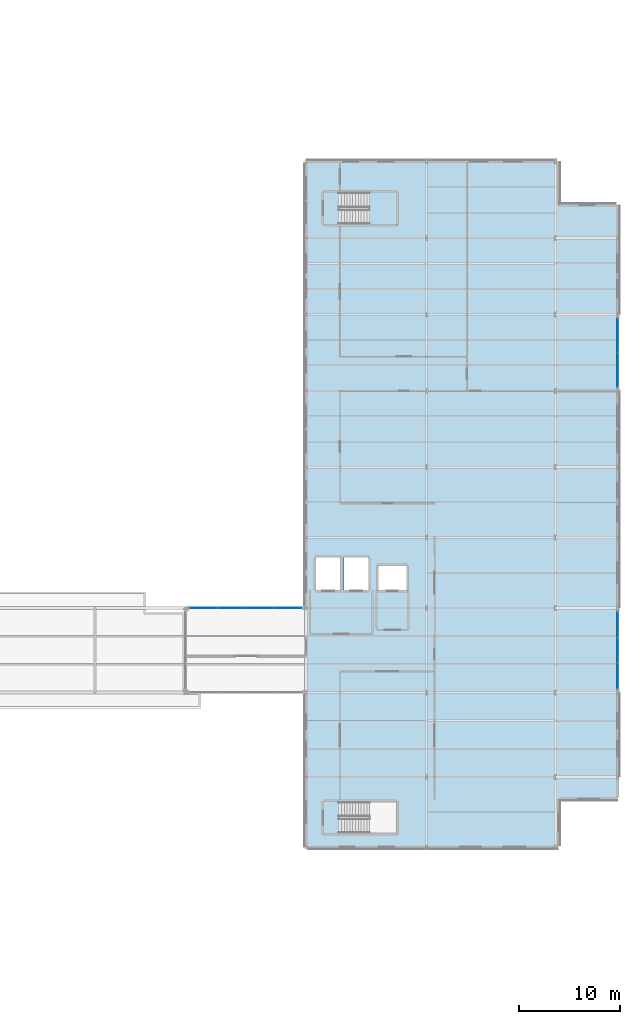
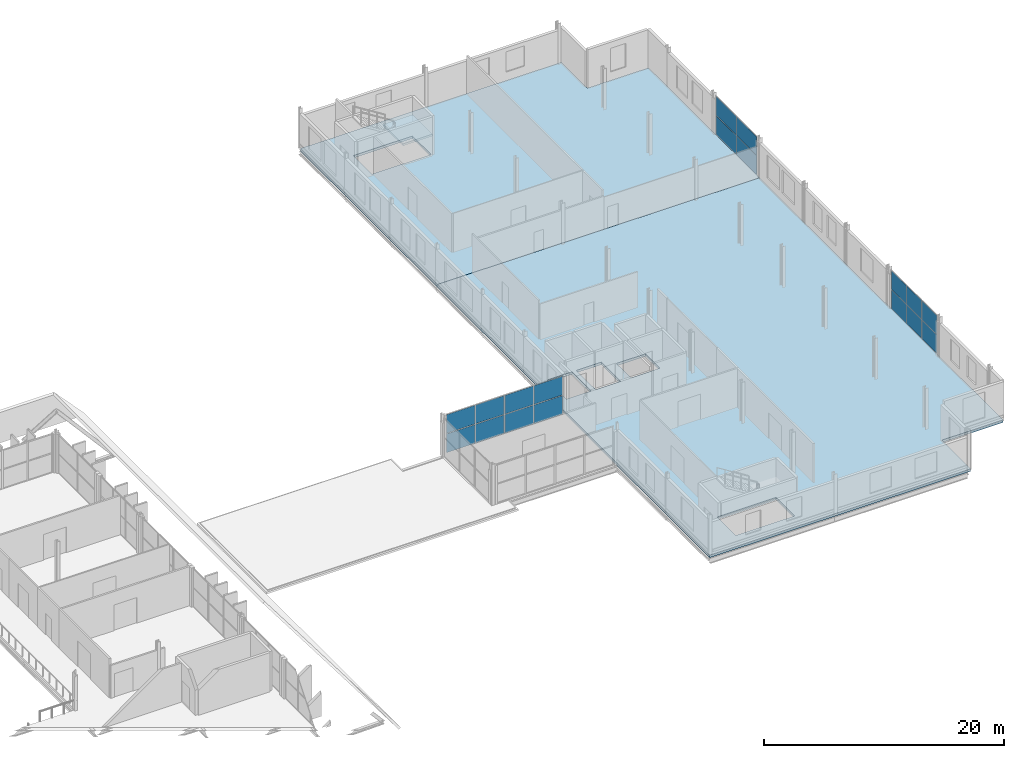
# One storey, part 78 of 93: 18 plates, 3 slabs, 4 elements without a shape of their own.
"""IFC4 building model written with IfcOpenShell, lengths in metres."""

from ifc_helpers import new_model, si_unit, direction, frame, origin, origin_2d, place, context, subcontext, project, spatial, polyline, rectangle, outline, extrude, material, layer, layer_set, type_object, element, aggregate, save


model = new_model("IFC4")

# Units and contexts
model_context = context("Model", 3, precision=1e-05, world=origin(), true_north=direction((0.0, 1.0)))
body_context = subcontext(model_context, "Body", "Model", "MODEL_VIEW")
ifc_project = project(units=[si_unit("LENGTHUNIT", "METRE"), si_unit("AREAUNIT", "SQUARE_METRE"), si_unit("VOLUMEUNIT", "CUBIC_METRE"), si_unit("PLANEANGLEUNIT", "RADIAN"), si_unit("MASSUNIT", "GRAM", prefix="KILO")], contexts=[model_context])

# Site, building, storey
site_placement = place(None, origin())
site = spatial("IfcSite", under=ifc_project, at=site_placement, CompositionType="ELEMENT")
building_placement = place(site_placement, origin())
building = spatial("IfcBuilding", under=site, at=building_placement, Name="Vekula Escarpment Museum", CompositionType="ELEMENT")
storey_placement = place(building_placement, frame((0.0, 0.0, 22.199951171875)))
storey = spatial("IfcBuildingStorey", under=building, at=storey_placement, Name="L05", CompositionType="ELEMENT", Elevation=22.199951171875)

# Curtain wall, plates
ifc_material_1 = material(Name="Aluminium thermally broken framing", Category="aluminium")
ifc_layer_1 = layer(ifc_material_1, 0.179931640625)
ifc_layer_set_1 = layer_set([ifc_layer_1], Name="Aluminium thermally broken framing")
curtain_wall_type_1 = type_object("IfcCurtainWallType", Name="CW-SYS-08", PredefinedType="NOTDEFINED", material=ifc_layer_set_1)
curtain_wall_1_placement = place(storey_placement, origin())
curtain_wall_1 = element("IfcCurtainWall", 1, at=curtain_wall_1_placement, inside=storey, type_object=curtain_wall_type_1, Name="Curtain Wall CW-L05-188", PredefinedType="NOTDEFINED")
ifc_material_2 = material(Name="Double solar-control low-E glass", Category="glass")
ifc_layer_2 = layer(ifc_material_2, 0.028076171875)
ifc_layer_set_2 = layer_set([ifc_layer_2], Name="Double solar-control low-E glass")
plate_type_1 = type_object("IfcPlateType", Name="CW-PNL-28", PredefinedType="CURTAIN_PANEL", material=ifc_layer_set_2)
plate_1_placement = place(storey_placement, frame((165.215087890625, 76.39990234375, 0.06005859375), z_axis=(0.0, 0.0, 1.0), x_axis=(-1.0, 0.0, 0.0)))
plate_1 = element("IfcPlate", 2, at=plate_1_placement, type_object=plate_type_1, Name="CW-08 panel 1.1", PredefinedType="CURTAIN_PANEL", context=body_context, shape_type="SweptSolid", body=[
    extrude(rectangle(XDim=2.72998046875, YDim=0.028076171875, at=origin_2d()), origin(), (0.0, 0.0, 1.0), 1.89990234375),
])
plate_2_placement = place(storey_placement, frame((165.215087890625, 76.39990234375, 2.02001953125), z_axis=(0.0, 0.0, 1.0), x_axis=(-1.0, 0.0, 0.0)))
plate_2 = element("IfcPlate", 3, at=plate_2_placement, type_object=plate_type_1, Name="CW-08 panel 1.2", PredefinedType="CURTAIN_PANEL", context=body_context, shape_type="SweptSolid", body=[
    extrude(rectangle(XDim=2.72998046875, YDim=0.028076171875, at=origin_2d()), origin(), (0.0, 0.0, 1.0), 1.89990234375),
])
plate_3_placement = place(storey_placement, frame((162.409912109375, 76.39990234375, 0.06005859375), z_axis=(0.0, 0.0, 1.0), x_axis=(-1.0, 0.0, 0.0)))
plate_3 = element("IfcPlate", 4, at=plate_3_placement, type_object=plate_type_1, Name="CW-08 panel 2.1", PredefinedType="CURTAIN_PANEL", context=body_context, shape_type="SweptSolid", body=[
    extrude(rectangle(XDim=2.760009765625, YDim=0.028076171875, at=origin_2d()), origin(), (0.0, 0.0, 1.0), 1.89990234375),
])
plate_4_placement = place(storey_placement, frame((162.409912109375, 76.39990234375, 2.02001953125), z_axis=(0.0, 0.0, 1.0), x_axis=(-1.0, 0.0, 0.0)))
plate_4 = element("IfcPlate", 5, at=plate_4_placement, type_object=plate_type_1, Name="CW-08 panel 2.2", PredefinedType="CURTAIN_PANEL", context=body_context, shape_type="SweptSolid", body=[
    extrude(rectangle(XDim=2.760009765625, YDim=0.028076171875, at=origin_2d()), origin(), (0.0, 0.0, 1.0), 1.89990234375),
])
plate_5_placement = place(storey_placement, frame((159.590087890625, 76.39990234375, 0.06005859375), z_axis=(0.0, 0.0, 1.0), x_axis=(-1.0, 0.0, 0.0)))
plate_5 = element("IfcPlate", 6, at=plate_5_placement, type_object=plate_type_1, Name="CW-08 panel 3.1", PredefinedType="CURTAIN_PANEL", context=body_context, shape_type="SweptSolid", body=[
    extrude(rectangle(XDim=2.760009765625, YDim=0.028076171875, at=origin_2d()), origin(), (0.0, 0.0, 1.0), 1.89990234375),
])
plate_6_placement = place(storey_placement, frame((159.590087890625, 76.39990234375, 2.02001953125), z_axis=(0.0, 0.0, 1.0), x_axis=(-1.0, 0.0, 0.0)))
plate_6 = element("IfcPlate", 7, at=plate_6_placement, type_object=plate_type_1, Name="CW-08 panel 3.2", PredefinedType="CURTAIN_PANEL", context=body_context, shape_type="SweptSolid", body=[
    extrude(rectangle(XDim=2.760009765625, YDim=0.028076171875, at=origin_2d()), origin(), (0.0, 0.0, 1.0), 1.89990234375),
])
plate_7_placement = place(storey_placement, frame((156.784912109375, 76.39990234375, 0.06005859375), z_axis=(0.0, 0.0, 1.0), x_axis=(-1.0, 0.0, 0.0)))
plate_7 = element("IfcPlate", 8, at=plate_7_placement, type_object=plate_type_1, Name="CW-08 panel 4.1", PredefinedType="CURTAIN_PANEL", context=body_context, shape_type="SweptSolid", body=[
    extrude(rectangle(XDim=2.72998046875, YDim=0.028076171875, at=origin_2d()), origin(), (0.0, 0.0, 1.0), 1.89990234375),
])
plate_8_placement = place(storey_placement, frame((156.784912109375, 76.39990234375, 2.02001953125), z_axis=(0.0, 0.0, 1.0), x_axis=(-1.0, 0.0, 0.0)))
plate_8 = element("IfcPlate", 9, at=plate_8_placement, type_object=plate_type_1, Name="CW-08 panel 4.2", PredefinedType="CURTAIN_PANEL", context=body_context, shape_type="SweptSolid", body=[
    extrude(rectangle(XDim=2.72998046875, YDim=0.028076171875, at=origin_2d()), origin(), (0.0, 0.0, 1.0), 1.89990234375),
])
aggregate(curtain_wall_1, [plate_1, plate_2, plate_3, plate_4, plate_5, plate_6, plate_7, plate_8])

ifc_material_3 = material(Name="Aluminium thermally broken framing", Category="aluminium")
ifc_layer_3 = layer(ifc_material_3, 0.139892578125)
ifc_layer_set_3 = layer_set([ifc_layer_3], Name="Aluminium thermally broken framing")
curtain_wall_type_2 = type_object("IfcCurtainWallType", Name="CW-SYS-06", PredefinedType="NOTDEFINED", material=ifc_layer_set_3)
curtain_wall_2_placement = place(storey_placement, origin())
curtain_wall_2 = element("IfcCurtainWall", 10, at=curtain_wall_2_placement, inside=storey, type_object=curtain_wall_type_2, Name="Curtain Wall CW-L05-186", PredefinedType="NOTDEFINED")
ifc_material_4 = material(Name="Triple UV-filtered museum gallery glass", Category="glass")
ifc_layer_4 = layer(ifc_material_4, 0.035888671875)
ifc_layer_set_4 = layer_set([ifc_layer_4], Name="Triple UV-filtered museum gallery glass")
plate_type_2 = type_object("IfcPlateType", Name="CW-PNL-36", PredefinedType="CURTAIN_PANEL", material=ifc_layer_set_4)
plate_9_placement = place(storey_placement, frame((198.0, 69.655029296875, 0.06005859375), z_axis=(0.0, 0.0, 1.0), x_axis=(0.0, 1.0, 0.0)))
plate_9 = element("IfcPlate", 11, at=plate_9_placement, type_object=plate_type_2, Name="CW-06 panel 1.1", PredefinedType="CURTAIN_PANEL", context=body_context, shape_type="SweptSolid", body=[
    extrude(rectangle(XDim=2.469970703125, YDim=0.035888671875, at=origin_2d()), origin(), (0.0, 0.0, 1.0), 1.89990234375),
])
plate_10_placement = place(storey_placement, frame((198.0, 69.655029296875, 2.02001953125), z_axis=(0.0, 0.0, 1.0), x_axis=(0.0, 1.0, 0.0)))
plate_10 = element("IfcPlate", 12, at=plate_10_placement, type_object=plate_type_2, Name="CW-06 panel 1.2", PredefinedType="CURTAIN_PANEL", context=body_context, shape_type="SweptSolid", body=[
    extrude(rectangle(XDim=2.469970703125, YDim=0.035888671875, at=origin_2d()), origin(), (0.0, 0.0, 1.0), 1.89990234375),
])
plate_11_placement = place(storey_placement, frame((198.0, 72.199951171875, 0.06005859375), z_axis=(0.0, 0.0, 1.0), x_axis=(0.0, 1.0, 0.0)))
plate_11 = element("IfcPlate", 13, at=plate_11_placement, type_object=plate_type_2, Name="CW-06 panel 2.1", PredefinedType="CURTAIN_PANEL", context=body_context, shape_type="SweptSolid", body=[
    extrude(rectangle(XDim=2.5, YDim=0.035888671875, at=origin_2d()), origin(), (0.0, 0.0, 1.0), 1.89990234375),
])
plate_12_placement = place(storey_placement, frame((198.0, 72.199951171875, 2.02001953125), z_axis=(0.0, 0.0, 1.0), x_axis=(0.0, 1.0, 0.0)))
plate_12 = element("IfcPlate", 14, at=plate_12_placement, type_object=plate_type_2, Name="CW-06 panel 2.2", PredefinedType="CURTAIN_PANEL", context=body_context, shape_type="SweptSolid", body=[
    extrude(rectangle(XDim=2.5, YDim=0.035888671875, at=origin_2d()), origin(), (0.0, 0.0, 1.0), 1.89990234375),
])
plate_13_placement = place(storey_placement, frame((198.0, 74.7451171875, 0.06005859375), z_axis=(0.0, 0.0, 1.0), x_axis=(0.0, 1.0, 0.0)))
plate_13 = element("IfcPlate", 15, at=plate_13_placement, type_object=plate_type_2, Name="CW-06 panel 3.1", PredefinedType="CURTAIN_PANEL", context=body_context, shape_type="SweptSolid", body=[
    extrude(rectangle(XDim=2.469970703125, YDim=0.035888671875, at=origin_2d()), origin(), (0.0, 0.0, 1.0), 1.89990234375),
])
plate_14_placement = place(storey_placement, frame((198.0, 74.7451171875, 2.02001953125), z_axis=(0.0, 0.0, 1.0), x_axis=(0.0, 1.0, 0.0)))
plate_14 = element("IfcPlate", 16, at=plate_14_placement, type_object=plate_type_2, Name="CW-06 panel 3.2", PredefinedType="CURTAIN_PANEL", context=body_context, shape_type="SweptSolid", body=[
    extrude(rectangle(XDim=2.469970703125, YDim=0.035888671875, at=origin_2d()), origin(), (0.0, 0.0, 1.0), 1.89990234375),
])
aggregate(curtain_wall_2, [plate_9, plate_10, plate_11, plate_12, plate_13, plate_14])

ifc_material_5 = material(Name="Aluminium thermally broken framing", Category="aluminium")
ifc_layer_5 = layer(ifc_material_5, 0.179931640625)
ifc_layer_set_5 = layer_set([ifc_layer_5], Name="Aluminium thermally broken framing")
curtain_wall_type_3 = type_object("IfcCurtainWallType", Name="CW-SYS-07", PredefinedType="NOTDEFINED", material=ifc_layer_set_5)
curtain_wall_3_placement = place(storey_placement, origin())
curtain_wall_3 = element("IfcCurtainWall", 17, at=curtain_wall_3_placement, inside=storey, type_object=curtain_wall_type_3, Name="Curtain Wall CW-L05-187", PredefinedType="NOTDEFINED")
ifc_material_6 = material(Name="Insulated bronze spandrel glass panel", Category="glass")
ifc_layer_6 = layer(ifc_material_6, 0.0400390625)
ifc_layer_set_6 = layer_set([ifc_layer_6], Name="Insulated bronze spandrel glass panel")
plate_type_3 = type_object("IfcPlateType", Name="CW-PNL-40", PredefinedType="CURTAIN_PANEL", material=ifc_layer_set_6)
plate_15_placement = place(storey_placement, frame((198.0, 100.094970703125, 0.06005859375), z_axis=(0.0, 0.0, 1.0), x_axis=(0.0, 1.0, 0.0)))
plate_15 = element("IfcPlate", 18, at=plate_15_placement, type_object=plate_type_3, Name="CW-07 panel 1.1", PredefinedType="CURTAIN_PANEL", context=body_context, shape_type="SweptSolid", body=[
    extrude(rectangle(XDim=3.35009765625, YDim=0.0400390625, at=origin_2d()), origin(), (0.0, 0.0, 1.0), 1.89990234375),
])
plate_16_placement = place(storey_placement, frame((198.0, 100.094970703125, 2.02001953125), z_axis=(0.0, 0.0, 1.0), x_axis=(0.0, 1.0, 0.0)))
plate_16 = element("IfcPlate", 19, at=plate_16_placement, type_object=plate_type_3, Name="CW-07 panel 1.2", PredefinedType="CURTAIN_PANEL", context=body_context, shape_type="SweptSolid", body=[
    extrude(rectangle(XDim=3.35009765625, YDim=0.0400390625, at=origin_2d()), origin(), (0.0, 0.0, 1.0), 1.89990234375),
])
plate_17_placement = place(storey_placement, frame((198.0, 103.5048828125, 0.06005859375), z_axis=(0.0, 0.0, 1.0), x_axis=(0.0, 1.0, 0.0)))
plate_17 = element("IfcPlate", 20, at=plate_17_placement, type_object=plate_type_3, Name="CW-07 panel 2.1", PredefinedType="CURTAIN_PANEL", context=body_context, shape_type="SweptSolid", body=[
    extrude(rectangle(XDim=3.35009765625, YDim=0.0400390625, at=origin_2d()), origin(), (0.0, 0.0, 1.0), 1.89990234375),
])
plate_18_placement = place(storey_placement, frame((198.0, 103.5048828125, 2.02001953125), z_axis=(0.0, 0.0, 1.0), x_axis=(0.0, 1.0, 0.0)))
plate_18 = element("IfcPlate", 21, at=plate_18_placement, type_object=plate_type_3, Name="CW-07 panel 2.2", PredefinedType="CURTAIN_PANEL", context=body_context, shape_type="SweptSolid", body=[
    extrude(rectangle(XDim=3.35009765625, YDim=0.0400390625, at=origin_2d()), origin(), (0.0, 0.0, 1.0), 1.89990234375),
])
aggregate(curtain_wall_3, [plate_15, plate_16, plate_17, plate_18])

# Slabs
ifc_material_7 = material(Name="Concrete C35/45", Category="concrete")
ifc_layer_7 = layer(ifc_material_7, 0.25)
ifc_layer_set_7 = layer_set([ifc_layer_7], Name="Concrete C35/45")
slab_type_1 = type_object("IfcSlabType", Name="SL-CUM-250", PredefinedType="FLOOR", material=ifc_layer_set_7)
slab_1_placement = place(storey_placement, frame((0.0, 0.0, -0.25)))
element("IfcSlab", 22, at=slab_1_placement, inside=storey, type_object=slab_type_1, Name="Floor Slab W-L05-V3-E", PredefinedType="FLOOR", context=body_context, shape_type="SweptSolid", body=[
    extrude(outline(polyline([(167.0, 52.60009765625), (192.110107421875, 52.60009765625), (192.110107421875, 57.39990234375), (198.0, 57.39990234375), (198.0, 98.0), (167.0, 98.0), (167.0, 52.60009765625)]), holes=[polyline([(170.31005859375, 54.0), (176.0, 54.0), (176.0, 57.10009765625), (170.31005859375, 57.10009765625), (170.31005859375, 54.0)]), polyline([(168.0, 78.199951171875), (170.39990234375, 78.199951171875), (170.39990234375, 81.39990234375), (168.0, 81.39990234375), (168.0, 78.199951171875)]), polyline([(170.800048828125, 78.199951171875), (173.199951171875, 78.199951171875), (173.199951171875, 81.39990234375), (170.800048828125, 81.39990234375), (170.800048828125, 78.199951171875)]), polyline([(174.199951171875, 78.199951171875), (177.0, 78.199951171875), (177.0, 80.60009765625), (174.199951171875, 80.60009765625), (174.199951171875, 78.199951171875)])]), origin(), (0.0, 0.0, 1.0), 0.25),
])
slab_2_placement = place(storey_placement, frame((0.0, 0.0, -0.25)))
element("IfcSlab", 23, at=slab_2_placement, inside=storey, type_object=slab_type_1, Name="Floor Slab W-L05-V3-NE", PredefinedType="FLOOR", context=body_context, shape_type="SweptSolid", body=[
    extrude(outline(polyline([(167.0, 98.0), (198.0, 98.0), (198.0, 116.468017578125), (192.110107421875, 116.468017578125), (192.110107421875, 120.800048828125), (167.0, 120.800048828125), (167.0, 98.0)]), holes=[polyline([(170.31005859375, 114.60009765625), (176.0, 114.60009765625), (176.0, 117.699951171875), (170.31005859375, 117.699951171875), (170.31005859375, 114.60009765625)])]), origin(), (0.0, 0.0, 1.0), 0.25),
])

# Stair, slab
ifc_material_8 = material(Name="Concrete C35/45", Category="concrete")
stair_type = type_object("IfcStairType", Name="STR-TYPE-145", PredefinedType="HALF_TURN_STAIR", material=ifc_material_8)
stair_placement = place(storey_placement, origin())
stair = element("IfcStair", 24, at=stair_placement, inside=storey, type_object=stair_type, Name="L05 Northeast Cumba Exit Stair ST-05", PredefinedType="HALF_TURN_STAIR")
ifc_material_9 = material(Name="Concrete C35/45", Category="concrete")
ifc_layer_8 = layer(ifc_material_9, 0.199951171875)
ifc_layer_set_8 = layer_set([ifc_layer_8], Name="Concrete C35/45")
slab_type_2 = type_object("IfcSlabType", Name="SL-LAND-200", PredefinedType="LANDING", material=ifc_layer_set_8)
slab_3_placement = place(storey_placement, frame((0.0, 0.0, 1.900146484375)))
slab_3 = element("IfcSlab", 25, at=slab_3_placement, type_object=slab_type_2, Name="ST-05 landing 1", PredefinedType="LANDING", context=body_context, shape_type="SweptSolid", body=[
    extrude(outline(polyline([(173.239990234375, 114.510009765625), (176.090087890625, 114.510009765625), (176.090087890625, 117.7900390625), (173.239990234375, 117.7900390625), (173.239990234375, 114.510009765625)])), origin(), (0.0, 0.0, 1.0), 0.199951171875),
])
aggregate(stair, [slab_3])

save(model, "model.ifc")
